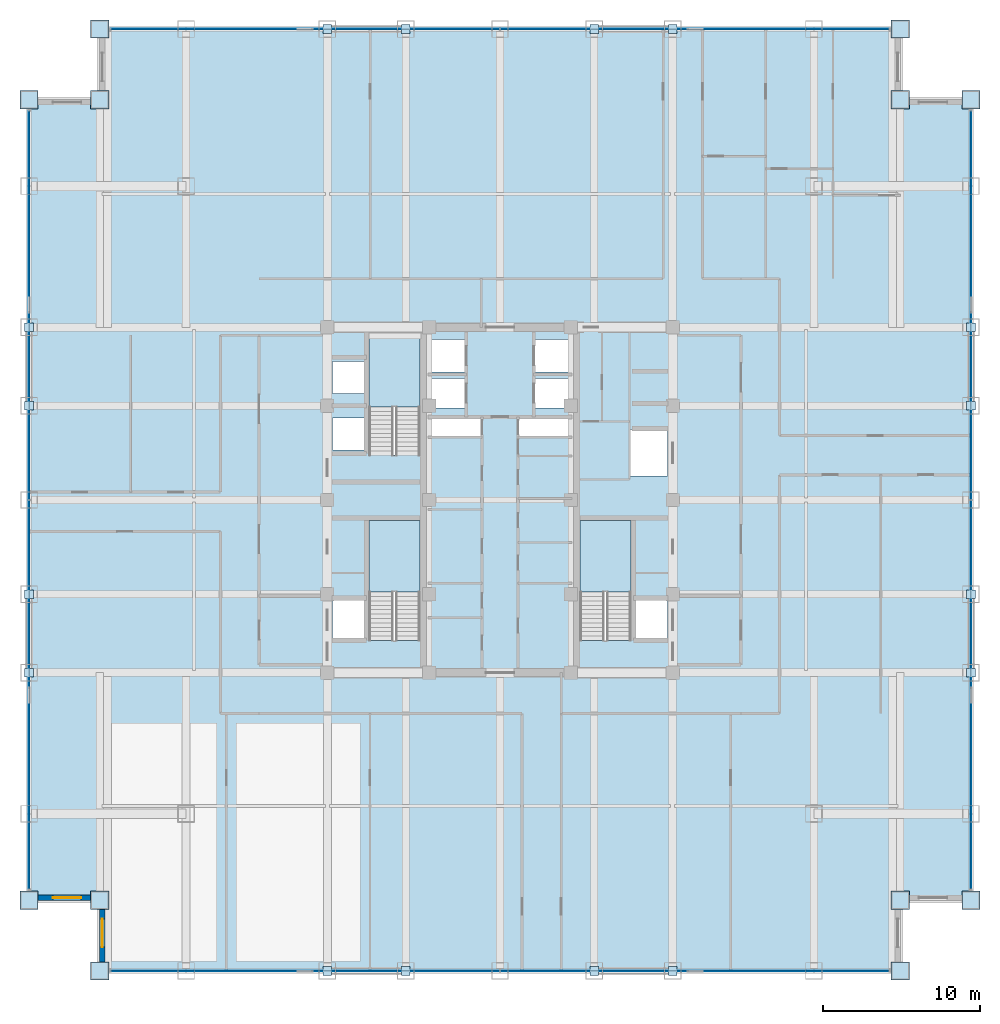
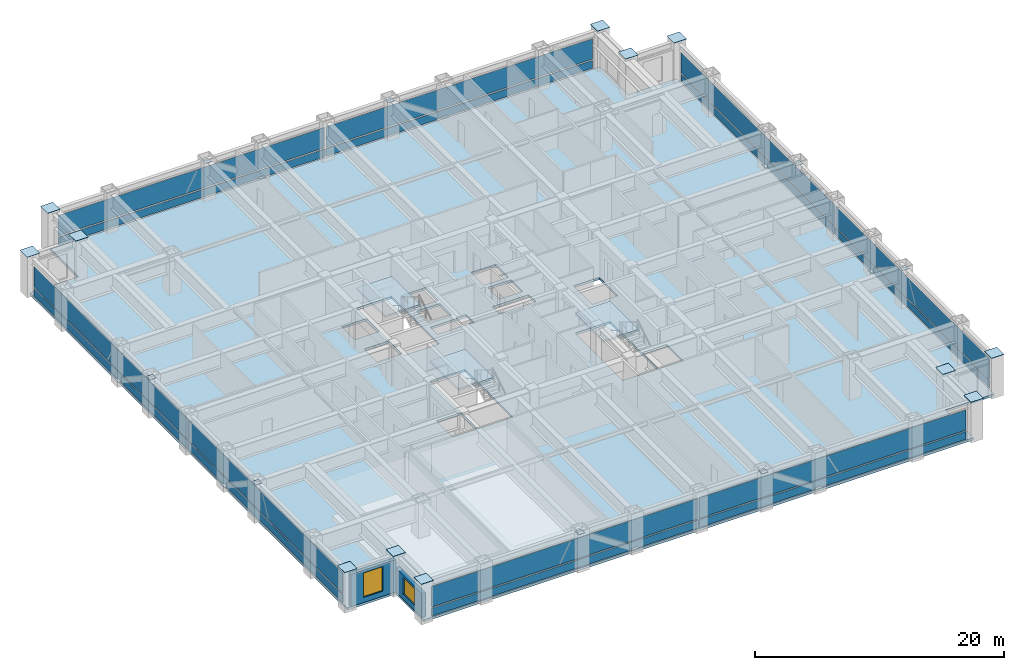
# One storey, part 19 of 26: 44 plates, 4 slabs, 2 walls, 2 windows, 2 openings, 7 elements without a shape of their own.
"""IFC4 building model written with IfcOpenShell, lengths in metres."""

from ifc_helpers import new_model, si_unit, direction, frame, frame_2d, origin, origin_2d, place, context, subcontext, project, spatial, polyline, rectangle, outline, extrude, source, transform, mapped, material, layer, layer_set, type_object, element, fill, aggregate, save


model = new_model("IFC4")

# Units and contexts
model_context = context("Model", 3, precision=1e-05, world=origin(), true_north=direction((0.0, 1.0)))
body_context = subcontext(model_context, "Body", "Model", "MODEL_VIEW")
ifc_project = project(units=[si_unit("LENGTHUNIT", "METRE"), si_unit("AREAUNIT", "SQUARE_METRE"), si_unit("VOLUMEUNIT", "CUBIC_METRE"), si_unit("PLANEANGLEUNIT", "RADIAN"), si_unit("MASSUNIT", "GRAM", prefix="KILO")], contexts=[model_context])

# Site, building, storey
site_placement = place(None, origin())
site = spatial("IfcSite", under=ifc_project, at=site_placement, CompositionType="ELEMENT")
building_placement = place(site_placement, origin())
building = spatial("IfcBuilding", under=site, at=building_placement, Name="Khorayat Bourse Tower", CompositionType="ELEMENT")
storey_placement = place(building_placement, frame((0.0, 0.0, 207.10009765625)))
storey = spatial("IfcBuildingStorey", under=building, at=storey_placement, Name="L48", CompositionType="ELEMENT", Elevation=207.10009765625)

# Stair, slab
ifc_material_1 = material(Name="Concrete C40/50", Category="concrete")
stair_type = type_object("IfcStairType", Name="STR-CORE-1550", PredefinedType="HALF_TURN_STAIR", material=ifc_material_1)
stair_1_placement = place(storey_placement, origin())
stair_1 = element("IfcStair", 1, at=stair_1_placement, inside=storey, type_object=stair_type, Name="L48 Exit Stair ST-1", PredefinedType="HALF_TURN_STAIR")
ifc_layer_1 = layer(ifc_material_1, 0.199951171875)
ifc_layer_set_1 = layer_set([ifc_layer_1], Name="Concrete C40/50")
slab_type_1 = type_object("IfcSlabType", Name="SLB-LANDING-200", PredefinedType="LANDING", material=ifc_layer_set_1)
slab_1_placement = place(storey_placement, frame((0.0, 0.0, 1.7998046875)))
slab_1 = element("IfcSlab", 2, at=slab_1_placement, type_object=slab_type_1, Name="ST-1 landing 1", PredefinedType="LANDING", context=body_context, shape_type="SweptSolid", body=[
    extrude(outline(polyline([(-5.10009765625, -5.8701171875), (-5.10009765625, -1.300048828125), (-8.35009765625, -1.300048828125), (-8.35009765625, -5.8701171875), (-5.10009765625, -5.8701171875)])), origin(), (0.0, 0.0, 1.0), 0.2001953125),
])
aggregate(stair_1, [slab_1])

stair_2_placement = place(storey_placement, origin())
stair_2 = element("IfcStair", 3, at=stair_2_placement, inside=storey, type_object=stair_type, Name="L48 Exit Stair ST-2", PredefinedType="HALF_TURN_STAIR")
slab_2_placement = place(storey_placement, frame((0.0, 0.0, 1.7998046875)))
slab_2 = element("IfcSlab", 4, at=slab_2_placement, type_object=slab_type_1, Name="ST-2 landing 1", PredefinedType="LANDING", context=body_context, shape_type="SweptSolid", body=[
    extrude(outline(polyline([(-5.10009765625, 5.929931640625), (-5.10009765625, 10.5), (-8.35009765625, 10.5), (-8.35009765625, 5.929931640625), (-5.10009765625, 5.929931640625)])), origin(), (0.0, 0.0, 1.0), 0.2001953125),
])
aggregate(stair_2, [slab_2])

stair_3_placement = place(storey_placement, origin())
stair_3 = element("IfcStair", 5, at=stair_3_placement, inside=storey, type_object=stair_type, Name="L48 Exit Stair ST-3", PredefinedType="HALF_TURN_STAIR")
slab_3_placement = place(storey_placement, frame((0.0, 0.0, 1.7998046875)))
slab_3 = element("IfcSlab", 6, at=slab_3_placement, type_object=slab_type_1, Name="ST-3 landing 1", PredefinedType="LANDING", context=body_context, shape_type="SweptSolid", body=[
    extrude(outline(polyline([(8.35009765625, -5.8701171875), (8.35009765625, -1.300048828125), (5.10009765625, -1.300048828125), (5.10009765625, -5.8701171875), (8.35009765625, -5.8701171875)])), origin(), (0.0, 0.0, 1.0), 0.2001953125),
])
aggregate(stair_3, [slab_3])

# Slab
ifc_layer_2 = layer(ifc_material_1, 0.219970703125)
ifc_layer_set_2 = layer_set([ifc_layer_2], Name="Concrete C40/50")
slab_type_2 = type_object("IfcSlabType", Name="SLB-OFFICE-220", PredefinedType="FLOOR", material=ifc_layer_set_2)
slab_4_placement = place(storey_placement, frame((0.0, 0.0, -0.22021484375)))
element("IfcSlab", 7, at=slab_4_placement, inside=storey, type_object=slab_type_2, Name="L48 Main Floor Slab", PredefinedType="FLOOR", context=body_context, shape_type="SweptSolid", body=[
    extrude(outline(polyline([(-25.5, -30.0), (25.5, -30.0), (25.5, -25.5), (30.0, -25.5), (30.0, 25.5), (25.5, 25.5), (25.5, 30.0), (-25.5, 30.0), (-25.5, 25.5), (-30.0, 25.5), (-30.0, -25.5), (-25.5, -25.5), (-25.5, -30.0)]), holes=[polyline([(-8.35009765625, -8.945068359375), (-5.10009765625, -8.945068359375), (-5.10009765625, -1.300048828125), (-8.35009765625, -1.300048828125), (-8.35009765625, -8.945068359375)]), polyline([(-8.35009765625, 2.85498046875), (-5.10009765625, 2.85498046875), (-5.10009765625, 10.5), (-8.35009765625, 10.5), (-8.35009765625, 2.85498046875)]), polyline([(5.10009765625, -8.945068359375), (8.35009765625, -8.945068359375), (8.35009765625, -1.300048828125), (5.10009765625, -1.300048828125), (5.10009765625, -8.945068359375)]), polyline([(-4.3798828125, 8.169921875), (-2.1201171875, 8.169921875), (-2.1201171875, 10.22998046875), (-4.3798828125, 10.22998046875), (-4.3798828125, 8.169921875)]), polyline([(2.1201171875, 8.169921875), (4.3798828125, 8.169921875), (4.3798828125, 10.22998046875), (2.1201171875, 10.22998046875), (2.1201171875, 8.169921875)]), polyline([(-4.3798828125, 5.8701171875), (-2.219970703125, 5.8701171875), (-2.219970703125, 7.72998046875), (-4.3798828125, 7.72998046875), (-4.3798828125, 5.8701171875)]), polyline([(2.219970703125, 5.8701171875), (4.3798828125, 5.8701171875), (4.3798828125, 7.72998046875), (2.219970703125, 7.72998046875), (2.219970703125, 5.8701171875)]), polyline([(-10.679931640625, 3.169921875), (-8.419921875, 3.169921875), (-8.419921875, 5.22998046875), (-10.679931640625, 5.22998046875), (-10.679931640625, 3.169921875)]), polyline([(-10.679931640625, 6.77001953125), (-8.419921875, 6.77001953125), (-8.419921875, 8.830078125), (-10.679931640625, 8.830078125), (-10.679931640625, 6.77001953125)]), polyline([(-10.679931640625, -8.929931640625), (-8.419921875, -8.929931640625), (-8.419921875, -6.3701171875), (-10.679931640625, -6.3701171875), (-10.679931640625, -8.929931640625)]), polyline([(8.419921875, -8.929931640625), (10.679931640625, -8.929931640625), (10.679931640625, -6.3701171875), (8.419921875, -6.3701171875), (8.419921875, -8.929931640625)]), polyline([(8.320068359375, 1.52001953125), (10.679931640625, 1.52001953125), (10.679931640625, 4.47998046875), (8.320068359375, 4.47998046875), (8.320068359375, 1.52001953125)]), polyline([(-4.56005859375, 4.080078125), (-1.18994140625, 4.080078125), (-1.18994140625, 5.219970703125), (-4.56005859375, 5.219970703125), (-4.56005859375, 4.080078125)]), polyline([(1.18994140625, 4.080078125), (4.56005859375, 4.080078125), (4.56005859375, 5.219970703125), (1.18994140625, 5.219970703125), (1.18994140625, 4.080078125)])]), origin(), (0.0, 0.0, 1.0), 0.22021484375),
])

# Plates
ifc_material_2 = material(Name="Steel EN 10025-2 S355J2", Category="steel")
ifc_layer_3 = layer(ifc_material_2, 0.02490234375)
ifc_layer_set_3 = layer_set([ifc_layer_3], Name="Steel EN 10025-2 S355J2")
plate_type_1 = type_object("IfcPlateType", Name="PLT-ENDCAP-25", PredefinedType="SHEET", material=ifc_layer_set_3)
shared_shape_1 = source(origin(), body_context, "Body", "SweptSolid", [
    extrude(rectangle(XDim=0.56005859375, YDim=0.56005859375, at=origin_2d()), origin(), (0.0, 0.0, 1.0), 0.02490234375),
])
for number, where, z_axis, x_axis, name in (
    (8, (-11.0, -30.0, 3.517333984375), (0.0, 0.0, 1.0), (1.0, 0.0, 0.0), "L48 Perimeter Brace End Plate 001"),
    (9, (-6.0, -30.0, 0.237548828125), (0.0, 0.0, 1.0), (1.0, 0.0, 0.0), "L48 Perimeter Brace End Plate 002"),
    (10, (6.0, -30.0, 3.517333984375), (0.0, 0.0, 1.0), (1.0, 0.0, 0.0), "L48 Perimeter Brace End Plate 003"),
    (11, (11.0, -30.0, 0.237548828125), (0.0, 0.0, 1.0), (1.0, 0.0, 0.0), "L48 Perimeter Brace End Plate 004"),
    (12, (-11.0, 30.0, 3.517333984375), (0.0, 0.0, 1.0), (1.0, 0.0, 0.0), "L48 Perimeter Brace End Plate 005"),
    (13, (-6.0, 30.0, 0.237548828125), (0.0, 0.0, 1.0), (1.0, 0.0, 0.0), "L48 Perimeter Brace End Plate 006"),
    (14, (6.0, 30.0, 3.517333984375), (0.0, 0.0, 1.0), (1.0, 0.0, 0.0), "L48 Perimeter Brace End Plate 007"),
    (15, (11.0, 30.0, 0.237548828125), (0.0, 0.0, 1.0), (1.0, 0.0, 0.0), "L48 Perimeter Brace End Plate 008"),
    (16, (-30.0, -11.0, 3.517333984375), (0.0, 0.0, 1.0), (1.0, 0.0, 0.0), "L48 Perimeter Brace End Plate 009"),
    (17, (-30.0, -6.0, 0.237548828125), (0.0, 0.0, 1.0), (1.0, 0.0, 0.0), "L48 Perimeter Brace End Plate 010"),
    (18, (-30.0, 6.0, 3.517333984375), (0.0, 0.0, 1.0), (1.0, 0.0, 0.0), "L48 Perimeter Brace End Plate 011"),
    (19, (-30.0, 11.0, 0.237548828125), (0.0, 0.0, 1.0), (1.0, 0.0, 0.0), "L48 Perimeter Brace End Plate 012"),
    (20, (30.0, -11.0, 3.517333984375), (0.0, 0.0, 1.0), (1.0, 0.0, 0.0), "L48 Perimeter Brace End Plate 013"),
    (21, (30.0, -6.0, 0.237548828125), (0.0, 0.0, 1.0), (1.0, 0.0, 0.0), "L48 Perimeter Brace End Plate 014"),
    (22, (30.0, 6.0, 3.517333984375), (0.0, 0.0, 1.0), (1.0, 0.0, 0.0), "L48 Perimeter Brace End Plate 015"),
    (23, (30.0, 11.0, 0.237548828125), (0.0, 0.0, 1.0), (1.0, 0.0, 0.0), "L48 Perimeter Brace End Plate 016"),
):
    element("IfcPlate", number, at=place(storey_placement, frame(where, z_axis=z_axis, x_axis=x_axis)), inside=storey, type_object=plate_type_1, Name=name, PredefinedType="SHEET", context=body_context, shape_type="MappedRepresentation", body=[
        mapped(shared_shape_1, transform((0.0, 0.0, 0.0), scale=1.0)),
    ])
shared_shape_2 = source(origin(), body_context, "Body", "SweptSolid", [
    extrude(rectangle(XDim=1.159912109375, YDim=1.159912109375, at=origin_2d()), origin(), (0.0, 0.0, 1.0), 0.02490234375),
])
for number, where, z_axis, x_axis, name in (
    (24, (-30.0, -25.5, 4.0), (0.0, 0.0, 1.0), (1.0, 0.0, 0.0), "L48 Column Top Endcap Plate 001"),
    (25, (-30.0, 25.5, 4.0), (0.0, 0.0, 1.0), (1.0, 0.0, 0.0), "L48 Column Top Endcap Plate 009"),
    (26, (-25.5, -30.0, 4.0), (0.0, 0.0, 1.0), (1.0, 0.0, 0.0), "L48 Column Top Endcap Plate 010"),
    (27, (-25.5, -25.5, 4.0), (0.0, 0.0, 1.0), (1.0, 0.0, 0.0), "L48 Column Top Endcap Plate 011"),
    (28, (-25.5, 25.5, 4.0), (0.0, 0.0, 1.0), (1.0, 0.0, 0.0), "L48 Column Top Endcap Plate 012"),
    (29, (-25.5, 30.0, 4.0), (0.0, 0.0, 1.0), (1.0, 0.0, 0.0), "L48 Column Top Endcap Plate 013"),
    (30, (25.5, -30.0, 4.0), (0.0, 0.0, 1.0), (1.0, 0.0, 0.0), "L48 Column Top Endcap Plate 052"),
    (31, (25.5, -25.5, 4.0), (0.0, 0.0, 1.0), (1.0, 0.0, 0.0), "L48 Column Top Endcap Plate 053"),
    (32, (25.5, 25.5, 4.0), (0.0, 0.0, 1.0), (1.0, 0.0, 0.0), "L48 Column Top Endcap Plate 054"),
    (33, (25.5, 30.0, 4.0), (0.0, 0.0, 1.0), (1.0, 0.0, 0.0), "L48 Column Top Endcap Plate 055"),
    (34, (30.0, -25.5, 4.0), (0.0, 0.0, 1.0), (1.0, 0.0, 0.0), "L48 Column Top Endcap Plate 056"),
    (35, (30.0, 25.5, 4.0), (0.0, 0.0, 1.0), (1.0, 0.0, 0.0), "L48 Column Top Endcap Plate 064"),
):
    element("IfcPlate", number, at=place(storey_placement, frame(where, z_axis=z_axis, x_axis=x_axis)), inside=storey, type_object=plate_type_1, Name=name, PredefinedType="SHEET", context=body_context, shape_type="MappedRepresentation", body=[
        mapped(shared_shape_2, transform((0.0, 0.0, 0.0), scale=1.0)),
    ])

# Curtain wall, plates
ifc_material_3 = material(Name="Aluminium EN AW-6063 T6", Category="aluminium")
curtain_wall_type = type_object("IfcCurtainWallType", Name="CW-SYS-03", PredefinedType="NOTDEFINED", material=ifc_material_3)
curtain_wall_1_placement = place(storey_placement, origin())
curtain_wall_1 = element("IfcCurtainWall", 36, at=curtain_wall_1_placement, inside=storey, type_object=curtain_wall_type, Name="L48 Curtain Wall CW-L48-S1", PredefinedType="NOTDEFINED")
ifc_material_4 = material(Name="Honed desert limestone insulated spandrel", Category="masonry")
ifc_layer_4 = layer(ifc_material_4, 0.06494140625)
ifc_layer_set_4 = layer_set([ifc_layer_4], Name="Honed desert limestone insulated spandrel")
plate_type_2 = type_object("IfcPlateType", Name="CWP-SPAND-03", PredefinedType="CURTAIN_PANEL", material=ifc_layer_set_4)
shared_shape_3 = source(origin(), body_context, "Body", "SweptSolid", [
    extrude(rectangle(XDim=24.719970703125, YDim=0.06494140625, at=origin_2d()), origin(), (0.0, 0.0, 1.0), 0.77001953125),
])
plate_1_placement = place(storey_placement, frame((-12.419921875, -30.0, 0.119873046875), z_axis=(0.0, 0.0, 1.0), x_axis=(1.0, 0.0, 0.0)))
plate_1 = element("IfcPlate", 37, at=plate_1_placement, type_object=plate_type_2, Name="CW-L48-S1 Spandrel Panel 1-1", PredefinedType="CURTAIN_PANEL", context=body_context, shape_type="MappedRepresentation", body=[
    mapped(shared_shape_3, transform((0.0, 0.0, 0.0), scale=1.0)),
])
plate_2_placement = place(storey_placement, frame((12.419921875, -30.0, 0.119873046875), z_axis=(0.0, 0.0, 1.0), x_axis=(1.0, 0.0, 0.0)))
plate_2 = element("IfcPlate", 38, at=plate_2_placement, type_object=plate_type_2, Name="CW-L48-S1 Spandrel Panel 2-1", PredefinedType="CURTAIN_PANEL", context=body_context, shape_type="MappedRepresentation", body=[
    mapped(shared_shape_3, transform((0.0, 0.0, 0.0), scale=1.0)),
])

curtain_wall_2_placement = place(storey_placement, origin())
curtain_wall_2 = element("IfcCurtainWall", 39, at=curtain_wall_2_placement, inside=storey, type_object=curtain_wall_type, Name="L48 Curtain Wall CW-L48-N1", PredefinedType="NOTDEFINED")
plate_3_placement = place(storey_placement, frame((-12.419921875, 30.0, 0.119873046875), z_axis=(0.0, 0.0, 1.0), x_axis=(1.0, 0.0, 0.0)))
plate_3 = element("IfcPlate", 40, at=plate_3_placement, type_object=plate_type_2, Name="CW-L48-N1 Spandrel Panel 1-1", PredefinedType="CURTAIN_PANEL", context=body_context, shape_type="MappedRepresentation", body=[
    mapped(shared_shape_3, transform((0.0, 0.0, 0.0), scale=1.0)),
])
plate_4_placement = place(storey_placement, frame((12.419921875, 30.0, 0.119873046875), z_axis=(0.0, 0.0, 1.0), x_axis=(1.0, 0.0, 0.0)))
plate_4 = element("IfcPlate", 41, at=plate_4_placement, type_object=plate_type_2, Name="CW-L48-N1 Spandrel Panel 2-1", PredefinedType="CURTAIN_PANEL", context=body_context, shape_type="MappedRepresentation", body=[
    mapped(shared_shape_3, transform((0.0, 0.0, 0.0), scale=1.0)),
])

curtain_wall_3_placement = place(storey_placement, origin())
curtain_wall_3 = element("IfcCurtainWall", 42, at=curtain_wall_3_placement, inside=storey, type_object=curtain_wall_type, Name="L48 Curtain Wall CW-L48-W1", PredefinedType="NOTDEFINED")
plate_5_placement = place(storey_placement, frame((-30.0, -12.419921875, 0.119873046875), z_axis=(0.0, 0.0, 1.0), x_axis=(0.0, 1.0, 0.0)))
plate_5 = element("IfcPlate", 43, at=plate_5_placement, type_object=plate_type_2, Name="CW-L48-W1 Spandrel Panel 1-1", PredefinedType="CURTAIN_PANEL", context=body_context, shape_type="MappedRepresentation", body=[
    mapped(shared_shape_3, transform((0.0, 0.0, 0.0), scale=1.0)),
])
plate_6_placement = place(storey_placement, frame((-30.0, 12.419921875, 0.119873046875), z_axis=(0.0, 0.0, 1.0), x_axis=(0.0, 1.0, 0.0)))
plate_6 = element("IfcPlate", 44, at=plate_6_placement, type_object=plate_type_2, Name="CW-L48-W1 Spandrel Panel 2-1", PredefinedType="CURTAIN_PANEL", context=body_context, shape_type="MappedRepresentation", body=[
    mapped(shared_shape_3, transform((0.0, 0.0, 0.0), scale=1.0)),
])

curtain_wall_4_placement = place(storey_placement, origin())
curtain_wall_4 = element("IfcCurtainWall", 45, at=curtain_wall_4_placement, inside=storey, type_object=curtain_wall_type, Name="L48 Curtain Wall CW-L48-E1", PredefinedType="NOTDEFINED")
plate_7_placement = place(storey_placement, frame((30.0, -12.419921875, 0.119873046875), z_axis=(0.0, 0.0, 1.0), x_axis=(0.0, 1.0, 0.0)))
plate_7 = element("IfcPlate", 46, at=plate_7_placement, type_object=plate_type_2, Name="CW-L48-E1 Spandrel Panel 1-1", PredefinedType="CURTAIN_PANEL", context=body_context, shape_type="MappedRepresentation", body=[
    mapped(shared_shape_3, transform((0.0, 0.0, 0.0), scale=1.0)),
])
plate_8_placement = place(storey_placement, frame((30.0, 12.419921875, 0.119873046875), z_axis=(0.0, 0.0, 1.0), x_axis=(0.0, 1.0, 0.0)))
plate_8 = element("IfcPlate", 47, at=plate_8_placement, type_object=plate_type_2, Name="CW-L48-E1 Spandrel Panel 2-1", PredefinedType="CURTAIN_PANEL", context=body_context, shape_type="MappedRepresentation", body=[
    mapped(shared_shape_3, transform((0.0, 0.0, 0.0), scale=1.0)),
])

# Plate
ifc_material_5 = material(Name="Low-E solar-control laminated double glazing", Category="glass")
ifc_layer_5 = layer(ifc_material_5, 0.035888671875)
ifc_layer_set_5 = layer_set([ifc_layer_5], Name="Low-E solar-control laminated double glazing")
plate_type_3 = type_object("IfcPlateType", Name="CWP-VIS-01", PredefinedType="CURTAIN_PANEL", material=ifc_layer_set_5)
shared_shape_4 = source(origin(), body_context, "Body", "SweptSolid", [
    extrude(rectangle(XDim=24.719970703125, YDim=0.035888671875, at=origin_2d()), origin(), (0.0, 0.0, 1.0), 2.0),
])
plate_9_placement = place(storey_placement, frame((-12.419921875, -30.0, 1.010009765625), z_axis=(0.0, 0.0, 1.0), x_axis=(1.0, 0.0, 0.0)))
plate_9 = element("IfcPlate", 48, at=plate_9_placement, type_object=plate_type_3, Name="CW-L48-S1 Vision Panel 1-2", PredefinedType="CURTAIN_PANEL", context=body_context, shape_type="MappedRepresentation", body=[
    mapped(shared_shape_4, transform((0.0, 0.0, 0.0), scale=1.0)),
])

plate_10_placement = place(storey_placement, frame((12.419921875, -30.0, 1.010009765625), z_axis=(0.0, 0.0, 1.0), x_axis=(1.0, 0.0, 0.0)))
plate_10 = element("IfcPlate", 49, at=plate_10_placement, type_object=plate_type_3, Name="CW-L48-S1 Vision Panel 2-2", PredefinedType="CURTAIN_PANEL", context=body_context, shape_type="MappedRepresentation", body=[
    mapped(shared_shape_4, transform((0.0, 0.0, 0.0), scale=1.0)),
])

aggregate(curtain_wall_1, [plate_1, plate_9, plate_2, plate_10])

plate_11_placement = place(storey_placement, frame((-12.419921875, 30.0, 1.010009765625), z_axis=(0.0, 0.0, 1.0), x_axis=(1.0, 0.0, 0.0)))
plate_11 = element("IfcPlate", 50, at=plate_11_placement, type_object=plate_type_3, Name="CW-L48-N1 Vision Panel 1-2", PredefinedType="CURTAIN_PANEL", context=body_context, shape_type="MappedRepresentation", body=[
    mapped(shared_shape_4, transform((0.0, 0.0, 0.0), scale=1.0)),
])

plate_12_placement = place(storey_placement, frame((12.419921875, 30.0, 1.010009765625), z_axis=(0.0, 0.0, 1.0), x_axis=(1.0, 0.0, 0.0)))
plate_12 = element("IfcPlate", 51, at=plate_12_placement, type_object=plate_type_3, Name="CW-L48-N1 Vision Panel 2-2", PredefinedType="CURTAIN_PANEL", context=body_context, shape_type="MappedRepresentation", body=[
    mapped(shared_shape_4, transform((0.0, 0.0, 0.0), scale=1.0)),
])

aggregate(curtain_wall_2, [plate_3, plate_11, plate_4, plate_12])

plate_13_placement = place(storey_placement, frame((-30.0, -12.419921875, 1.010009765625), z_axis=(0.0, 0.0, 1.0), x_axis=(0.0, 1.0, 0.0)))
plate_13 = element("IfcPlate", 52, at=plate_13_placement, type_object=plate_type_3, Name="CW-L48-W1 Vision Panel 1-2", PredefinedType="CURTAIN_PANEL", context=body_context, shape_type="MappedRepresentation", body=[
    mapped(shared_shape_4, transform((0.0, 0.0, 0.0), scale=1.0)),
])

plate_14_placement = place(storey_placement, frame((-30.0, 12.419921875, 1.010009765625), z_axis=(0.0, 0.0, 1.0), x_axis=(0.0, 1.0, 0.0)))
plate_14 = element("IfcPlate", 53, at=plate_14_placement, type_object=plate_type_3, Name="CW-L48-W1 Vision Panel 2-2", PredefinedType="CURTAIN_PANEL", context=body_context, shape_type="MappedRepresentation", body=[
    mapped(shared_shape_4, transform((0.0, 0.0, 0.0), scale=1.0)),
])

aggregate(curtain_wall_3, [plate_5, plate_13, plate_6, plate_14])

plate_15_placement = place(storey_placement, frame((30.0, -12.419921875, 1.010009765625), z_axis=(0.0, 0.0, 1.0), x_axis=(0.0, 1.0, 0.0)))
plate_15 = element("IfcPlate", 54, at=plate_15_placement, type_object=plate_type_3, Name="CW-L48-E1 Vision Panel 1-2", PredefinedType="CURTAIN_PANEL", context=body_context, shape_type="MappedRepresentation", body=[
    mapped(shared_shape_4, transform((0.0, 0.0, 0.0), scale=1.0)),
])

plate_16_placement = place(storey_placement, frame((30.0, 12.419921875, 1.010009765625), z_axis=(0.0, 0.0, 1.0), x_axis=(0.0, 1.0, 0.0)))
plate_16 = element("IfcPlate", 55, at=plate_16_placement, type_object=plate_type_3, Name="CW-L48-E1 Vision Panel 2-2", PredefinedType="CURTAIN_PANEL", context=body_context, shape_type="MappedRepresentation", body=[
    mapped(shared_shape_4, transform((0.0, 0.0, 0.0), scale=1.0)),
])

aggregate(curtain_wall_4, [plate_7, plate_15, plate_8, plate_16])

# Wall, opening, window
ifc_material_6 = material(Name="Precast concrete C45/55", Category="concrete")
ifc_layer_6 = layer(ifc_material_6, 0.320068359375)
ifc_layer_set_6 = layer_set([ifc_layer_6], Name="Precast concrete C45/55")
wall_type = type_object("IfcWallType", Name="WAL-EXT-STONE-320", PredefinedType="STANDARD", material=ifc_layer_set_6)
shared_shape_5 = source(origin(), body_context, "Body", "SweptSolid", [
    extrude(rectangle(XDim=4.179931640625, YDim=0.320068359375, at=frame_2d((2.08984375, 0.0))), origin(), (0.0, 0.0, 1.0), 3.163818359375),
])
wall_1_placement = place(storey_placement, frame((-25.5, -25.340087890625, 0.0), z_axis=(0.0, 0.0, 1.0), x_axis=(-1.0, 0.0, 0.0)))
wall_1 = element("IfcWall", 56, at=wall_1_placement, inside=storey, type_object=wall_type, Name="L48 Re-Entrant Notch Limestone Wall SW-H", PredefinedType="STANDARD", context=body_context, shape_type="MappedRepresentation", body=[
    mapped(shared_shape_5, transform((0.0, 0.0, 0.0), scale=1.0)),
])
shared_shape_6 = source(origin(), body_context, "Body", "SweptSolid", [
    extrude(rectangle(XDim=1.800048828125, YDim=2.39990234375, at=frame_2d((0.89990234375, 1.199951171875))), frame((0.0, 0.169921875, 0.0), z_axis=(0.0, -1.0, 0.0), x_axis=(1.0, 0.0, 0.0)), (0.0, 0.0, 1.0), 0.340087890625),
])
opening_1_placement = place(wall_1_placement, frame((1.18994140625, 0.0, 0.5)))
opening_1 = element("IfcOpeningElement", 57, at=opening_1_placement, cuts=wall_1, Name="Opening WN-04", PredefinedType="OPENING", context=body_context, shape_type="MappedRepresentation", body=[
    mapped(shared_shape_6, transform((0.0, 0.0, 0.0), scale=1.0)),
])
ifc_material_7 = material(Name="Low-E acoustic laminated double glazing", Category="glass")
window_type = type_object("IfcWindowType", Name="WIN-NOTCH-1800x2400", PartitioningType="SINGLE_PANEL", PredefinedType="WINDOW", material=ifc_material_7)
shared_shape_7 = source(origin(), body_context, "Body", "SweptSolid", [
    extrude(rectangle(XDim=1.800048828125, YDim=2.39990234375, at=frame_2d((0.89990234375, 1.199951171875))), frame((0.0, 0.030029296875, 0.0), z_axis=(0.0, -1.0, 0.0), x_axis=(1.0, 0.0, 0.0)), (0.0, 0.0, 1.0), 0.06005859375),
])
window_1_placement = place(opening_1_placement, origin())
window_1 = element("IfcWindow", 58, at=window_1_placement, inside=storey, type_object=window_type, Name="L48 Facade Window 1", OverallHeight=2.39990234375, OverallWidth=1.800048828125, PartitioningType="SINGLE_PANEL", PredefinedType="WINDOW", context=body_context, shape_type="MappedRepresentation", body=[
    mapped(shared_shape_7, transform((0.0, 0.0, 0.0), scale=1.0)),
])
fill(opening_1, window_1)

shared_shape_8 = source(origin(), body_context, "Body", "SweptSolid", [
    extrude(rectangle(XDim=4.179931640625, YDim=0.320068359375, at=frame_2d((2.08984375, 0.0))), origin(), (0.0, 0.0, 1.0), 2.3798828125),
])
wall_2_placement = place(storey_placement, frame((-25.340087890625, -29.679931640625, 0.0), z_axis=(0.0, 0.0, 1.0), x_axis=(0.0, 1.0, 0.0)))
wall_2 = element("IfcWall", 59, at=wall_2_placement, inside=storey, type_object=wall_type, Name="L48 Re-Entrant Notch Limestone Wall SW-V", PredefinedType="STANDARD", context=body_context, shape_type="MappedRepresentation", body=[
    mapped(shared_shape_8, transform((0.0, 0.0, 0.0), scale=1.0)),
])
shared_shape_9 = source(origin(), body_context, "Body", "SweptSolid", [
    extrude(rectangle(XDim=1.800048828125, YDim=1.659912109375, at=frame_2d((0.89990234375, 0.830078125))), frame((0.0, 0.169921875, 0.0), z_axis=(0.0, -1.0, 0.0), x_axis=(1.0, 0.0, 0.0)), (0.0, 0.0, 1.0), 0.340087890625),
])
opening_2_placement = place(wall_2_placement, frame((1.18994140625, 0.0, 0.5)))
opening_2 = element("IfcOpeningElement", 60, at=opening_2_placement, cuts=wall_2, Name="Opening WN-04", PredefinedType="OPENING", context=body_context, shape_type="MappedRepresentation", body=[
    mapped(shared_shape_9, transform((0.0, 0.0, 0.0), scale=1.0)),
])
shared_shape_10 = source(origin(), body_context, "Body", "SweptSolid", [
    extrude(rectangle(XDim=1.800048828125, YDim=1.659912109375, at=frame_2d((0.89990234375, 0.830078125))), frame((0.0, 0.030029296875, 0.0), z_axis=(0.0, -1.0, 0.0), x_axis=(1.0, 0.0, 0.0)), (0.0, 0.0, 1.0), 0.06005859375),
])
window_2_placement = place(opening_2_placement, origin())
window_2 = element("IfcWindow", 61, at=window_2_placement, inside=storey, type_object=window_type, Name="L48 Facade Window 1", OverallHeight=1.659912109375, OverallWidth=1.800048828125, PartitioningType="SINGLE_PANEL", PredefinedType="WINDOW", context=body_context, shape_type="MappedRepresentation", body=[
    mapped(shared_shape_10, transform((0.0, 0.0, 0.0), scale=1.0)),
])
fill(opening_2, window_2)

save(model, "model.ifc")
